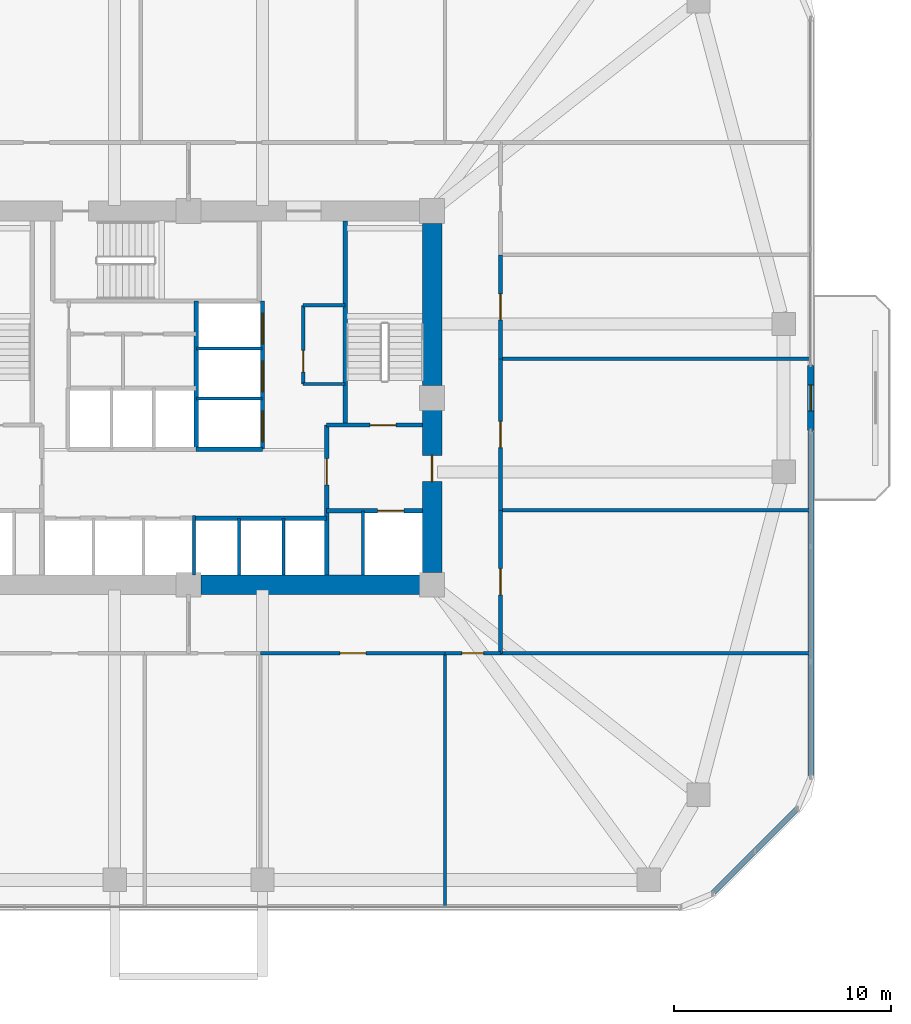
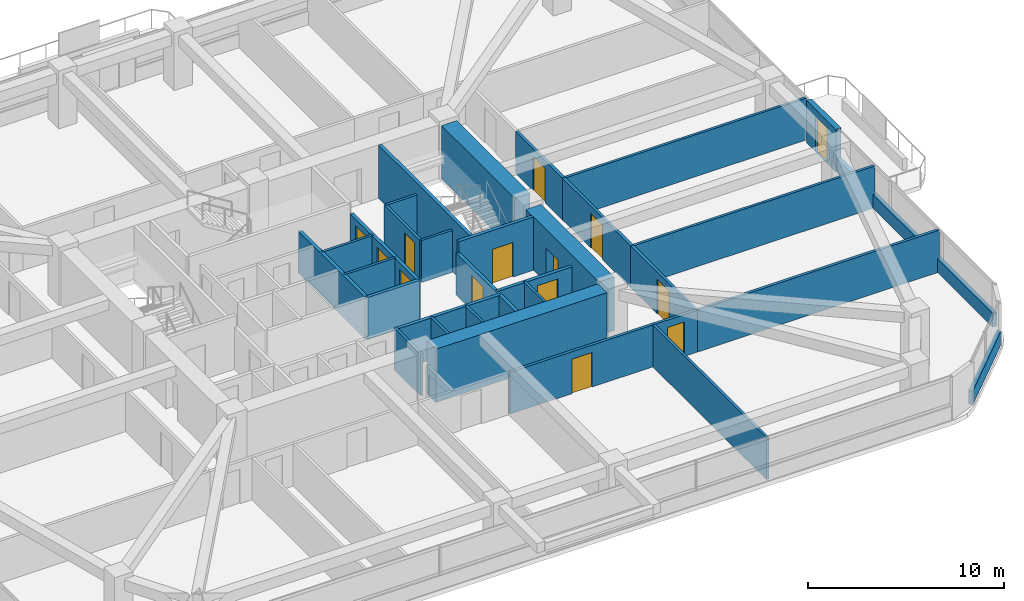
# One storey, part 10 of 14: 32 walls, 14 doors, 14 openings.
"""IFC4 building model written with IfcOpenShell, lengths in metres."""

from ifc_helpers import new_model, si_unit, derived_unit, direction, frame, frame_2d, origin, place, context, subcontext, project, spatial, rectangle, extrude, material, layer, layer_set, type_object, element, fill, save


model = new_model("IFC4")

# Units and contexts
model_context = context("Model", 3, precision=1e-05, world=origin(), true_north=direction((0.0, 1.0)))
body_context = subcontext(model_context, "Body", "Model", "MODEL_VIEW")
ifc_project = project(units=[si_unit("LENGTHUNIT", "METRE"), si_unit("AREAUNIT", "SQUARE_METRE"), si_unit("VOLUMEUNIT", "CUBIC_METRE"), si_unit("PLANEANGLEUNIT", "RADIAN"), si_unit("MASSUNIT", "GRAM", prefix="KILO"), derived_unit("THERMALTRANSMITTANCEUNIT", [(si_unit("POWERUNIT", "WATT"), 1), (si_unit("LENGTHUNIT", "METRE"), -2), (si_unit("THERMODYNAMICTEMPERATUREUNIT", "KELVIN"), -1)])], contexts=[model_context])

# Site, building, storey
site_placement = place(None, origin())
site = spatial("IfcSite", under=ifc_project, at=site_placement, CompositionType="ELEMENT")
building_placement = place(site_placement, origin())
building = spatial("IfcBuilding", under=site, at=building_placement, Name="Koralith Skygarden Medical Center", CompositionType="ELEMENT")
storey_placement = place(building_placement, frame((0.0, 0.0, 31.139892578125)))
storey = spatial("IfcBuildingStorey", under=building, at=storey_placement, Name="L07", CompositionType="ELEMENT", Elevation=31.139892578125)

# Wall, opening, door
ifc_material_1 = material(Name="Gypsum Board Partition")
ifc_layer_1 = layer(ifc_material_1, 0.14990234375)
ifc_layer_set_1 = layer_set([ifc_layer_1], Name="Gypsum Board Partition")
wall_type_1 = type_object("IfcWallType", Name="Clinical Acoustic Partition 150", PredefinedType="PARTITIONING", material=ifc_layer_set_1)
wall_1_placement = place(storey_placement, frame((42.27001953125, 26.5400390625, 0.0), z_axis=(0.0, 0.0, 1.0), x_axis=(0.0, 1.0, 0.0)))
wall_1 = element("IfcWall", 1, at=wall_1_placement, inside=storey, type_object=wall_type_1, Name="L07 Clinical Acoustic Partition 150 W-CORE-L07-ESUB-W", PredefinedType="PARTITIONING", context=body_context, shape_type="SweptSolid", body=[
    extrude(rectangle(XDim=3.619873046875, YDim=0.14990234375, at=frame_2d((1.81005859375, 0.0))), origin(), (0.0, 0.0, 1.0), 2.610107421875),
])
opening_1_placement = place(wall_1_placement, frame((0.550048828125, 0.0, 0.0)))
opening_1 = element("IfcOpeningElement", 2, at=opening_1_placement, cuts=wall_1, Name="Opening D-SUP", PredefinedType="OPENING", context=body_context, shape_type="SweptSolid", body=[
    extrude(rectangle(XDim=1.0, YDim=2.14990234375, at=frame_2d((0.5, 1.074951171875))), frame((0.0, 0.0849609375, 0.0), z_axis=(0.0, -1.0, 0.0), x_axis=(1.0, 0.0, 0.0)), (0.0, 0.0, 1.0), 0.169921875),
])
ifc_material_2 = material(Name="Aluminium 6063-T6", Category="aluminium")
door_type_1 = type_object("IfcDoorType", Name="Clinical Support Door D-SUP 1000", OperationType="NOTDEFINED", PredefinedType="DOOR", material=ifc_material_2)
door_1_placement = place(opening_1_placement, origin())
door_1 = element("IfcDoor", 3, at=door_1_placement, inside=storey, type_object=door_type_1, Name="L07 Core Equipment Store Door", OperationType="SINGLE_SWING_LEFT", OverallHeight=2.14990234375, OverallWidth=1.0, PredefinedType="DOOR", context=body_context, shape_type="SweptSolid", body=[
    extrude(rectangle(XDim=1.0, YDim=2.14990234375, at=frame_2d((0.5, 1.074951171875))), frame((0.0, 0.02490234375, 0.0), z_axis=(0.0, -1.0, 0.0), x_axis=(1.0, 0.0, 0.0)), (0.0, 0.0, 1.0), 0.050048828125),
])
fill(opening_1, door_1)

# Walls
for number, where, z_axis, x_axis, name in (
    (4, (42.27001953125, 26.5400390625, 0.0), (0.0, 0.0, 1.0), (1.0, 0.0, 0.0), "L07 Clinical Acoustic Partition 150 W-CORE-L07-ESUB-S"),
    (5, (42.27001953125, 30.159912109375, 0.0), (0.0, 0.0, 1.0), (1.0, 0.0, 0.0), "L07 Clinical Acoustic Partition 150 W-CORE-L07-ESUB-N"),
):
    element("IfcWall", number, at=place(storey_placement, frame(where, z_axis=z_axis, x_axis=x_axis)), inside=storey, type_object=wall_type_1, Name=name, PredefinedType="PARTITIONING", context=body_context, shape_type="SweptSolid", body=[
        extrude(rectangle(XDim=1.929931640625, YDim=0.14990234375, at=frame_2d((0.96484375, 0.0))), origin(), (0.0, 0.0, 1.0), 2.610107421875),
    ])
wall_2_placement = place(storey_placement, frame((48.800048828125, 14.14990234375, 0.0), z_axis=(0.0, 0.0, 1.0), x_axis=(0.0, -1.0, 0.0)))
element("IfcWall", 6, at=wall_2_placement, inside=storey, type_object=wall_type_1, Name="L07 Clinical Acoustic Partition 150 W-PART-L07-S-05", PredefinedType="PARTITIONING", context=body_context, shape_type="SweptSolid", body=[
    extrude(rectangle(XDim=11.64990234375, YDim=0.14990234375, at=frame_2d((5.824951171875, 0.0))), origin(), (0.0, 0.0, 1.0), 2.610107421875),
])
for number, where, z_axis, x_axis, name in (
    (7, (51.35009765625, 20.72998046875, 0.0), (0.0, 0.0, 1.0), (1.0, 0.0, 0.0), "L07 Clinical Acoustic Partition 150 W-PART-L07-E-01"),
    (8, (51.35009765625, 27.699951171875, 0.0), (0.0, 0.0, 1.0), (1.0, 0.0, 0.0), "L07 Clinical Acoustic Partition 150 W-PART-L07-E-02"),
):
    element("IfcWall", number, at=place(storey_placement, frame(where, z_axis=z_axis, x_axis=x_axis)), inside=storey, type_object=wall_type_1, Name=name, PredefinedType="PARTITIONING", context=body_context, shape_type="SweptSolid", body=[
        extrude(rectangle(XDim=14.25, YDim=0.14990234375, at=frame_2d((7.125, 0.0))), origin(), (0.0, 0.0, 1.0), 2.610107421875),
    ])
ifc_layer_2 = layer(ifc_material_1, 0.1650390625)
ifc_layer_set_2 = layer_set([ifc_layer_2], Name="Gypsum Board Partition")
wall_type_2 = type_object("IfcWallType", Name="Clinical Corridor Partition 165", PredefinedType="PARTITIONING", material=ifc_layer_set_2)
wall_3_placement = place(storey_placement, frame((51.35009765625, 14.14990234375, 0.0), z_axis=(0.0, 0.0, 1.0), x_axis=(1.0, 0.0, 0.0)))
element("IfcWall", 9, at=wall_3_placement, inside=storey, type_object=wall_type_2, Name="L07 Clinical Corridor Partition 165 W-WB-L07-SE", PredefinedType="PARTITIONING", context=body_context, shape_type="SweptSolid", body=[
    extrude(rectangle(XDim=14.25, YDim=0.1650390625, at=frame_2d((7.125, 0.0))), origin(), (0.0, 0.0, 1.0), 2.610107421875),
])

# Wall, opening, door
wall_4_placement = place(storey_placement, frame((40.31005859375, 14.14990234375, 0.0), z_axis=(0.0, 0.0, 1.0), x_axis=(1.0, 0.0, 0.0)))
wall_4 = element("IfcWall", 10, at=wall_4_placement, inside=storey, type_object=wall_type_2, Name="L07 Clinical Corridor Partition 165 W-CORR-L07-S-05", PredefinedType="PARTITIONING", context=body_context, shape_type="SweptSolid", body=[
    extrude(rectangle(XDim=8.489990234375, YDim=0.1650390625, at=frame_2d((4.2451171875, 0.0))), origin(), (0.0, 0.0, 1.0), 2.610107421875),
])
opening_2_placement = place(wall_4_placement, frame((3.64501953125, 0.0, 0.0)))
opening_2 = element("IfcOpeningElement", 11, at=opening_2_placement, cuts=wall_4, Name="Opening D-CLN", PredefinedType="OPENING", context=body_context, shape_type="SweptSolid", body=[
    extrude(rectangle(XDim=1.199951171875, YDim=2.14990234375, at=frame_2d((0.60009765625, 1.074951171875))), frame((0.0, 0.092529296875, 0.0), z_axis=(0.0, -1.0, 0.0), x_axis=(1.0, 0.0, 0.0)), (0.0, 0.0, 1.0), 0.18505859375),
])
door_type_2 = type_object("IfcDoorType", Name="Clinical Corridor Door D-CLN 1200", OperationType="NOTDEFINED", PredefinedType="DOOR", material=ifc_material_2)
door_2_placement = place(opening_2_placement, frame((1.199951171875, 0.0, 0.0), z_axis=(0.0, 0.0, 1.0), x_axis=(-1.0, 0.0, 0.0)))
door_2 = element("IfcDoor", 12, at=door_2_placement, inside=storey, type_object=door_type_2, Name="L07 Decentralized Nurse Charting Station 10 Door", OperationType="SINGLE_SWING_LEFT", OverallHeight=2.14990234375, OverallWidth=1.199951171875, PredefinedType="DOOR", context=body_context, shape_type="SweptSolid", body=[
    extrude(rectangle(XDim=1.199951171875, YDim=2.14990234375, at=frame_2d((0.60009765625, 1.074951171875))), frame((0.0, 0.02490234375, 0.0), z_axis=(0.0, -1.0, 0.0), x_axis=(1.0, 0.0, 0.0)), (0.0, 0.0, 1.0), 0.050048828125),
])
fill(opening_2, door_2)

wall_5_placement = place(storey_placement, frame((48.800048828125, 14.14990234375, 0.0), z_axis=(0.0, 0.0, 1.0), x_axis=(1.0, 0.0, 0.0)))
wall_5 = element("IfcWall", 13, at=wall_5_placement, inside=storey, type_object=wall_type_2, Name="L07 Clinical Corridor Partition 165 W-CORR-L07-S-06", PredefinedType="PARTITIONING", context=body_context, shape_type="SweptSolid", body=[
    extrude(rectangle(XDim=2.550048828125, YDim=0.1650390625, at=frame_2d((1.27490234375, 0.0))), origin(), (0.0, 0.0, 1.0), 2.610107421875),
])
opening_3_placement = place(wall_5_placement, frame((0.77490234375, 0.0, 0.0)))
opening_3 = element("IfcOpeningElement", 14, at=opening_3_placement, cuts=wall_5, Name="Opening D-SUP", PredefinedType="OPENING", context=body_context, shape_type="SweptSolid", body=[
    extrude(rectangle(XDim=1.0, YDim=2.14990234375, at=frame_2d((0.5, 1.074951171875))), frame((0.0, 0.092529296875, 0.0), z_axis=(0.0, -1.0, 0.0), x_axis=(1.0, 0.0, 0.0)), (0.0, 0.0, 1.0), 0.18505859375),
])
door_3_placement = place(opening_3_placement, frame((1.0, 0.0, 0.0), z_axis=(0.0, 0.0, 1.0), x_axis=(-1.0, 0.0, 0.0)))
door_3 = element("IfcDoor", 15, at=door_3_placement, inside=storey, type_object=door_type_1, Name="L07 Multidisciplinary Clinical Conference Room 11 Door", OperationType="SINGLE_SWING_RIGHT", OverallHeight=2.14990234375, OverallWidth=1.0, PredefinedType="DOOR", context=body_context, shape_type="SweptSolid", body=[
    extrude(rectangle(XDim=1.0, YDim=2.14990234375, at=frame_2d((0.5, 1.074951171875))), frame((0.0, 0.02490234375, 0.0), z_axis=(0.0, -1.0, 0.0), x_axis=(1.0, 0.0, 0.0)), (0.0, 0.0, 1.0), 0.050048828125),
])
fill(opening_3, door_3)

wall_6_placement = place(storey_placement, frame((51.35009765625, 14.14990234375, 0.0), z_axis=(0.0, 0.0, 1.0), x_axis=(0.0, 1.0, 0.0)))
wall_6 = element("IfcWall", 16, at=wall_6_placement, inside=storey, type_object=wall_type_2, Name="L07 Clinical Corridor Partition 165 W-CORR-L07-E-01", PredefinedType="PARTITIONING", context=body_context, shape_type="SweptSolid", body=[
    extrude(rectangle(XDim=6.580078125, YDim=0.1650390625, at=frame_2d((3.2900390625, 0.0))), origin(), (0.0, 0.0, 1.0), 2.610107421875),
])
opening_4_placement = place(wall_6_placement, frame((2.68994140625, 0.0, 0.0)))
opening_4 = element("IfcOpeningElement", 17, at=opening_4_placement, cuts=wall_6, Name="Opening D-CLN", PredefinedType="OPENING", context=body_context, shape_type="SweptSolid", body=[
    extrude(rectangle(XDim=1.199951171875, YDim=2.14990234375, at=frame_2d((0.60009765625, 1.074951171875))), frame((0.0, 0.092529296875, 0.0), z_axis=(0.0, -1.0, 0.0), x_axis=(1.0, 0.0, 0.0)), (0.0, 0.0, 1.0), 0.18505859375),
])
door_4_placement = place(opening_4_placement, origin())
door_4 = element("IfcDoor", 18, at=door_4_placement, inside=storey, type_object=door_type_2, Name="L07 Clinical Examination Room 15 Door", OperationType="SINGLE_SWING_RIGHT", OverallHeight=2.14990234375, OverallWidth=1.199951171875, PredefinedType="DOOR", context=body_context, shape_type="SweptSolid", body=[
    extrude(rectangle(XDim=1.199951171875, YDim=2.14990234375, at=frame_2d((0.60009765625, 1.074951171875))), frame((0.0, 0.02490234375, 0.0), z_axis=(0.0, -1.0, 0.0), x_axis=(1.0, 0.0, 0.0)), (0.0, 0.0, 1.0), 0.050048828125),
])
fill(opening_4, door_4)

wall_7_placement = place(storey_placement, frame((51.35009765625, 20.72998046875, 0.0), z_axis=(0.0, 0.0, 1.0), x_axis=(0.0, 1.0, 0.0)))
wall_7 = element("IfcWall", 19, at=wall_7_placement, inside=storey, type_object=wall_type_2, Name="L07 Clinical Corridor Partition 165 W-CORR-L07-E-02", PredefinedType="PARTITIONING", context=body_context, shape_type="SweptSolid", body=[
    extrude(rectangle(XDim=6.969970703125, YDim=0.1650390625, at=frame_2d((3.48486328125, 0.0))), origin(), (0.0, 0.0, 1.0), 2.610107421875),
])
opening_5_placement = place(wall_7_placement, frame((2.885009765625, 0.0, 0.0)))
opening_5 = element("IfcOpeningElement", 20, at=opening_5_placement, cuts=wall_7, Name="Opening D-CLN", PredefinedType="OPENING", context=body_context, shape_type="SweptSolid", body=[
    extrude(rectangle(XDim=1.199951171875, YDim=2.14990234375, at=frame_2d((0.60009765625, 1.074951171875))), frame((0.0, 0.092529296875, 0.0), z_axis=(0.0, -1.0, 0.0), x_axis=(1.0, 0.0, 0.0)), (0.0, 0.0, 1.0), 0.18505859375),
])
door_5_placement = place(opening_5_placement, origin())
door_5 = element("IfcDoor", 21, at=door_5_placement, inside=storey, type_object=door_type_2, Name="L07 Patient and Family Sky-Garden Day Lounge 16 Door", OperationType="SINGLE_SWING_LEFT", OverallHeight=2.14990234375, OverallWidth=1.199951171875, PredefinedType="DOOR", context=body_context, shape_type="SweptSolid", body=[
    extrude(rectangle(XDim=1.199951171875, YDim=2.14990234375, at=frame_2d((0.60009765625, 1.074951171875))), frame((0.0, 0.02490234375, 0.0), z_axis=(0.0, -1.0, 0.0), x_axis=(1.0, 0.0, 0.0)), (0.0, 0.0, 1.0), 0.050048828125),
])
fill(opening_5, door_5)

wall_8_placement = place(storey_placement, frame((51.35009765625, 27.699951171875, 0.0), z_axis=(0.0, 0.0, 1.0), x_axis=(0.0, 1.0, 0.0)))
wall_8 = element("IfcWall", 22, at=wall_8_placement, inside=storey, type_object=wall_type_2, Name="L07 Clinical Corridor Partition 165 W-CORR-L07-E-03", PredefinedType="PARTITIONING", context=body_context, shape_type="SweptSolid", body=[
    extrude(rectangle(XDim=4.780029296875, YDim=0.1650390625, at=frame_2d((2.39013671875, 0.0))), origin(), (0.0, 0.0, 1.0), 2.610107421875),
])
opening_6_placement = place(wall_8_placement, frame((1.7900390625, 0.0, 0.0)))
opening_6 = element("IfcOpeningElement", 23, at=opening_6_placement, cuts=wall_8, Name="Opening D-CLN", PredefinedType="OPENING", context=body_context, shape_type="SweptSolid", body=[
    extrude(rectangle(XDim=1.199951171875, YDim=2.14990234375, at=frame_2d((0.60009765625, 1.074951171875))), frame((0.0, 0.092529296875, 0.0), z_axis=(0.0, -1.0, 0.0), x_axis=(1.0, 0.0, 0.0)), (0.0, 0.0, 1.0), 0.18505859375),
])
door_6_placement = place(opening_6_placement, origin())
door_6 = element("IfcDoor", 24, at=door_6_placement, inside=storey, type_object=door_type_2, Name="L07 Attending Physician Consultation Office 17 Door", OperationType="SINGLE_SWING_RIGHT", OverallHeight=2.14990234375, OverallWidth=1.199951171875, PredefinedType="DOOR", context=body_context, shape_type="SweptSolid", body=[
    extrude(rectangle(XDim=1.199951171875, YDim=2.14990234375, at=frame_2d((0.60009765625, 1.074951171875))), frame((0.0, 0.02490234375, 0.0), z_axis=(0.0, -1.0, 0.0), x_axis=(1.0, 0.0, 0.0)), (0.0, 0.0, 1.0), 0.050048828125),
])
fill(opening_6, door_6)

ifc_layer_3 = layer(ifc_material_1, 0.199951171875)
ifc_layer_set_3 = layer_set([ifc_layer_3], Name="Gypsum Board Partition")
wall_type_3 = type_object("IfcWallType", Name="Fire Shaft Wall 200", PredefinedType="SOLIDWALL", material=ifc_layer_set_3)
wall_9_placement = place(storey_placement, frame((43.35009765625, 20.699951171875, 0.0), z_axis=(0.0, 0.0, 1.0), x_axis=(1.0, 0.0, 0.0)))
wall_9 = element("IfcWall", 25, at=wall_9_placement, inside=storey, type_object=wall_type_3, Name="L07 Fire Shaft Wall 200 W-CORE-L07-FF2-N", PredefinedType="SOLIDWALL", context=body_context, shape_type="SweptSolid", body=[
    extrude(rectangle(XDim=4.39990234375, YDim=0.199951171875, at=frame_2d((2.199951171875, 0.0))), origin(), (0.0, 0.0, 1.0), 2.610107421875),
])
opening_7_placement = place(wall_9_placement, frame((2.35009765625, 0.0, 0.0)))
opening_7 = element("IfcOpeningElement", 26, at=opening_7_placement, cuts=wall_9, Name="Opening LD-FF", PredefinedType="OPENING", context=body_context, shape_type="SweptSolid", body=[
    extrude(rectangle(XDim=1.199951171875, YDim=2.14990234375, at=frame_2d((0.60009765625, 1.074951171875))), frame((0.0, 0.10986328125, 0.0), z_axis=(0.0, -1.0, 0.0), x_axis=(1.0, 0.0, 0.0)), (0.0, 0.0, 1.0), 0.219970703125),
])
ifc_material_3 = material(Name="Steel ASTM A500 Grade C", Category="steel")
door_type_3 = type_object("IfcDoorType", Name="Fire Lift Sliding Landing Door LD-FF 1200", OperationType="NOTDEFINED", PredefinedType="DOOR", material=ifc_material_3)
door_7_placement = place(opening_7_placement, origin())
door_7 = element("IfcDoor", 27, at=door_7_placement, inside=storey, type_object=door_type_3, Name="L07 Fire Service Elevator FF2 Landing Door", OperationType="SLIDING_TO_RIGHT", OverallHeight=2.14990234375, OverallWidth=1.199951171875, PredefinedType="DOOR", context=body_context, shape_type="SweptSolid", body=[
    extrude(rectangle(XDim=1.199951171875, YDim=2.14990234375, at=frame_2d((0.60009765625, 1.074951171875))), frame((0.0, 0.02490234375, 0.0), z_axis=(0.0, -1.0, 0.0), x_axis=(1.0, 0.0, 0.0)), (0.0, 0.0, 1.0), 0.050048828125),
])
fill(opening_7, door_7)

wall_10_placement = place(storey_placement, frame((43.35009765625, 17.75, 0.0), z_axis=(0.0, 0.0, 1.0), x_axis=(0.0, 1.0, 0.0)))
wall_10 = element("IfcWall", 28, at=wall_10_placement, inside=storey, type_object=wall_type_3, Name="L07 Fire Shaft Wall 200 W-CORE-L07-FSAEE-W", PredefinedType="SOLIDWALL", context=body_context, shape_type="SweptSolid", body=[
    extrude(rectangle(XDim=6.89990234375, YDim=0.199951171875, at=frame_2d((3.449951171875, 0.0))), origin(), (0.0, 0.0, 1.0), 2.610107421875),
])
opening_8_placement = place(wall_10_placement, frame((4.14990234375, 0.0, 0.0)))
opening_8 = element("IfcOpeningElement", 29, at=opening_8_placement, cuts=wall_10, Name="Opening D-ST60", PredefinedType="OPENING", context=body_context, shape_type="SweptSolid", body=[
    extrude(rectangle(XDim=1.199951171875, YDim=2.14990234375, at=frame_2d((0.60009765625, 1.074951171875))), frame((0.0, 0.10986328125, 0.0), z_axis=(0.0, -1.0, 0.0), x_axis=(1.0, 0.0, 0.0)), (0.0, 0.0, 1.0), 0.219970703125),
])
door_type_4 = type_object("IfcDoorType", Name="Smokeproof Stair Fire Door FD60S 1200", OperationType="NOTDEFINED", PredefinedType="DOOR", material=ifc_material_3)
door_8_placement = place(opening_8_placement, frame((1.199951171875, 0.0, 0.0), z_axis=(0.0, 0.0, 1.0), x_axis=(-1.0, 0.0, 0.0)))
door_8 = element("IfcDoor", 30, at=door_8_placement, inside=storey, type_object=door_type_4, Name="L07 East Firefighting Lobby Inner Fire Door", OperationType="SINGLE_SWING_RIGHT", OverallHeight=2.14990234375, OverallWidth=1.199951171875, PredefinedType="DOOR", context=body_context, shape_type="SweptSolid", body=[
    extrude(rectangle(XDim=1.199951171875, YDim=2.14990234375, at=frame_2d((0.60009765625, 1.074951171875))), frame((0.0, 0.02490234375, 0.0), z_axis=(0.0, -1.0, 0.0), x_axis=(1.0, 0.0, 0.0)), (0.0, 0.0, 1.0), 0.050048828125),
])
fill(opening_8, door_8)

# Walls
wall_11_placement = place(storey_placement, frame((37.25, 20.360107421875, 0.0), z_axis=(0.0, 0.0, 1.0), x_axis=(1.0, 0.0, 0.0)))
element("IfcWall", 31, at=wall_11_placement, inside=storey, type_object=wall_type_3, Name="L07 Fire Shaft Wall 200 W-CORE-L07-PM-N", PredefinedType="SOLIDWALL", context=body_context, shape_type="SweptSolid", body=[
    extrude(rectangle(XDim=6.10009765625, YDim=0.199951171875, at=frame_2d((3.050048828125, 0.0))), origin(), (0.0, 0.0, 1.0), 2.610107421875),
])
wall_12_placement = place(storey_placement, frame((37.35009765625, 23.5400390625, 0.0), z_axis=(0.0, 0.0, 1.0), x_axis=(0.0, 1.0, 0.0)))
element("IfcWall", 32, at=wall_12_placement, inside=storey, type_object=wall_type_3, Name="L07 Fire Shaft Wall 200 W-CORE-L07-SV-W", PredefinedType="SOLIDWALL", context=body_context, shape_type="SweptSolid", body=[
    extrude(rectangle(XDim=6.820068359375, YDim=0.199951171875, at=frame_2d((3.41015625, 0.0))), origin(), (0.0, 0.0, 1.0), 2.610107421875),
])
wall_13_placement = place(storey_placement, frame((37.35009765625, 23.5400390625, 0.0), z_axis=(0.0, 0.0, 1.0), x_axis=(1.0, 0.0, 0.0)))
element("IfcWall", 33, at=wall_13_placement, inside=storey, type_object=wall_type_3, Name="L07 Fire Shaft Wall 200 W-CORE-L07-SV-S", PredefinedType="SOLIDWALL", context=body_context, shape_type="SweptSolid", body=[
    extrude(rectangle(XDim=3.0498046875, YDim=0.199951171875, at=frame_2d((1.52490234375, 0.0))), origin(), (0.0, 0.0, 1.0), 2.610107421875),
])

# Wall, openings, doors
wall_14_placement = place(storey_placement, frame((40.39990234375, 23.5400390625, 0.0), z_axis=(0.0, 0.0, 1.0), x_axis=(0.0, 1.0, 0.0)))
wall_14 = element("IfcWall", 34, at=wall_14_placement, inside=storey, type_object=wall_type_3, Name="L07 Fire Shaft Wall 200 W-CORE-L07-SV-E", PredefinedType="SOLIDWALL", context=body_context, shape_type="SweptSolid", body=[
    extrude(rectangle(XDim=6.820068359375, YDim=0.199951171875, at=frame_2d((3.41015625, 0.0))), origin(), (0.0, 0.0, 1.0), 2.610107421875),
])
opening_9_placement = place(wall_14_placement, frame((0.35009765625, 0.0, 0.0)))
opening_9 = element("IfcOpeningElement", 35, at=opening_9_placement, cuts=wall_14, Name="Opening LD-SV", PredefinedType="OPENING", context=body_context, shape_type="SweptSolid", body=[
    extrude(rectangle(XDim=1.39990234375, YDim=2.199951171875, at=frame_2d((0.699951171875, 1.10009765625))), frame((0.0, 0.10986328125, 0.0), z_axis=(0.0, -1.0, 0.0), x_axis=(1.0, 0.0, 0.0)), (0.0, 0.0, 1.0), 0.219970703125),
])
opening_10_placement = place(wall_14_placement, frame((2.64990234375, 0.0, 0.0)))
opening_10 = element("IfcOpeningElement", 36, at=opening_10_placement, cuts=wall_14, Name="Opening LD-SV", PredefinedType="OPENING", context=body_context, shape_type="SweptSolid", body=[
    extrude(rectangle(XDim=1.39990234375, YDim=2.199951171875, at=frame_2d((0.699951171875, 1.10009765625))), frame((0.0, 0.10986328125, 0.0), z_axis=(0.0, -1.0, 0.0), x_axis=(1.0, 0.0, 0.0)), (0.0, 0.0, 1.0), 0.219970703125),
])
opening_11_placement = place(wall_14_placement, frame((4.85009765625, 0.0, 0.0)))
opening_11 = element("IfcOpeningElement", 37, at=opening_11_placement, cuts=wall_14, Name="Opening LD-SV", PredefinedType="OPENING", context=body_context, shape_type="SweptSolid", body=[
    extrude(rectangle(XDim=1.39990234375, YDim=2.199951171875, at=frame_2d((0.699951171875, 1.10009765625))), frame((0.0, 0.10986328125, 0.0), z_axis=(0.0, -1.0, 0.0), x_axis=(1.0, 0.0, 0.0)), (0.0, 0.0, 1.0), 0.219970703125),
])
door_type_5 = type_object("IfcDoorType", Name="Bed Lift Sliding Landing Door LD-SV 1400", OperationType="NOTDEFINED", PredefinedType="DOOR", material=ifc_material_3)
door_9_placement = place(opening_9_placement, origin())
door_9 = element("IfcDoor", 38, at=door_9_placement, inside=storey, type_object=door_type_5, Name="L07 Bed Elevator BD1 Landing Door", OperationType="SLIDING_TO_LEFT", OverallHeight=2.199951171875, OverallWidth=1.39990234375, PredefinedType="DOOR", context=body_context, shape_type="SweptSolid", body=[
    extrude(rectangle(XDim=1.39990234375, YDim=2.199951171875, at=frame_2d((0.699951171875, 1.10009765625))), frame((0.0, 0.02490234375, 0.0), z_axis=(0.0, -1.0, 0.0), x_axis=(1.0, 0.0, 0.0)), (0.0, 0.0, 1.0), 0.050048828125),
])
fill(opening_9, door_9)
door_10_placement = place(opening_10_placement, origin())
door_10 = element("IfcDoor", 39, at=door_10_placement, inside=storey, type_object=door_type_5, Name="L07 Service Elevator BD2 Landing Door", OperationType="SLIDING_TO_LEFT", OverallHeight=2.199951171875, OverallWidth=1.39990234375, PredefinedType="DOOR", context=body_context, shape_type="SweptSolid", body=[
    extrude(rectangle(XDim=1.39990234375, YDim=2.199951171875, at=frame_2d((0.699951171875, 1.10009765625))), frame((0.0, 0.02490234375, 0.0), z_axis=(0.0, -1.0, 0.0), x_axis=(1.0, 0.0, 0.0)), (0.0, 0.0, 1.0), 0.050048828125),
])
fill(opening_10, door_10)
door_11_placement = place(opening_11_placement, origin())
door_11 = element("IfcDoor", 40, at=door_11_placement, inside=storey, type_object=door_type_5, Name="L07 Trauma Elevator TR1 Landing Door", OperationType="SLIDING_TO_RIGHT", OverallHeight=2.199951171875, OverallWidth=1.39990234375, PredefinedType="DOOR", context=body_context, shape_type="SweptSolid", body=[
    extrude(rectangle(XDim=1.39990234375, YDim=2.199951171875, at=frame_2d((0.699951171875, 1.10009765625))), frame((0.0, 0.02490234375, 0.0), z_axis=(0.0, -1.0, 0.0), x_axis=(1.0, 0.0, 0.0)), (0.0, 0.0, 1.0), 0.050048828125),
])
fill(opening_11, door_11)

# Walls
ifc_material_4 = material(Name="Warm Oolitic Limestone Cladding", Category="masonry")
ifc_layer_4 = layer(ifc_material_4, 0.239990234375)
ifc_layer_set_4 = layer_set([ifc_layer_4], Name="Warm Oolitic Limestone Cladding")
wall_type_4 = type_object("IfcWallType", Name="Limestone Spandrel Sill Backup Wall 240", PredefinedType="SOLIDWALL", material=ifc_layer_set_4)
wall_15_placement = place(storey_placement, frame((61.095947265625, 3.0810546875, 0.0), z_axis=(0.0, 0.0, 1.0), x_axis=(0.707128783731, 0.707084777957, 0.0)))
element("IfcWall", 41, at=wall_15_placement, inside=storey, type_object=wall_type_4, Name="L07 Sill Spandrel SE", PredefinedType="SOLIDWALL", context=body_context, shape_type="SweptSolid", body=[
    extrude(rectangle(XDim=5.5478515625, YDim=0.239990234375, at=frame_2d((2.77392578125, 0.0))), origin(), (0.0, 0.0, 1.0), 0.85009765625),
])
wall_16_placement = place(storey_placement, frame((65.6201171875, 8.455078125, 0.0), z_axis=(0.0, 0.0, 1.0), x_axis=(0.0, 1.0, 0.0)))
element("IfcWall", 42, at=wall_16_placement, inside=storey, type_object=wall_type_4, Name="L07 Sill Spandrel E-L", PredefinedType="SOLIDWALL", context=body_context, shape_type="SweptSolid", body=[
    extrude(rectangle(XDim=15.905029296875, YDim=0.239990234375, at=frame_2d((7.95263671875, 0.0))), origin(), (0.0, 0.0, 1.0), 0.85009765625),
])
ifc_material_5 = material(Name="Concrete C70/85", Category="concrete")
ifc_layer_5 = layer(ifc_material_5, 0.89990234375)
ifc_layer_set_5 = layer_set([ifc_layer_5], Name="Concrete C70/85")
wall_type_5 = type_object("IfcWallType", Name="Lower Core Shear Wall 900", PredefinedType="SHEAR", material=ifc_layer_set_5)
wall_17_placement = place(storey_placement, frame((37.56494140625, 17.300048828125, 0.0), z_axis=(0.0, 0.0, 1.0), x_axis=(1.0, 0.0, 0.0)))
element("IfcWall", 43, at=wall_17_placement, inside=storey, type_object=wall_type_5, Name="L07 Core Shear Wall Segment 2", PredefinedType="SHEAR", context=body_context, shape_type="SweptSolid", body=[
    extrude(rectangle(XDim=10.070068359375, YDim=0.89990234375, at=frame_2d((5.03515625, 0.0))), origin(), (0.0, 0.0, 1.0), 3.320068359375),
])

# Wall, opening, door
wall_18_placement = place(storey_placement, frame((48.199951171875, 17.864990234375, 0.0), z_axis=(0.0, 0.0, 1.0), x_axis=(0.0, 1.0, 0.0)))
wall_18 = element("IfcWall", 44, at=wall_18_placement, inside=storey, type_object=wall_type_5, Name="L07 Core Shear Wall Segment 3", PredefinedType="SHEAR", context=body_context, shape_type="SweptSolid", body=[
    extrude(rectangle(XDim=7.469970703125, YDim=0.89990234375, at=frame_2d((3.73486328125, 0.0))), origin(), (0.0, 0.0, 1.0), 3.320068359375),
])
opening_12_placement = place(wall_18_placement, frame((4.18505859375, 0.0, 0.0)))
opening_12 = element("IfcOpeningElement", 45, at=opening_12_placement, cuts=wall_18, Name="Opening D-ST60", PredefinedType="OPENING", context=body_context, shape_type="SweptSolid", body=[
    extrude(rectangle(XDim=1.199951171875, YDim=2.14990234375, at=frame_2d((0.60009765625, 1.074951171875))), frame((0.0, 0.4599609375, 0.0), z_axis=(0.0, -1.0, 0.0), x_axis=(1.0, 0.0, 0.0)), (0.0, 0.0, 1.0), 0.919921875),
])
door_12_placement = place(opening_12_placement, frame((1.199951171875, 0.0, 0.0), z_axis=(0.0, 0.0, 1.0), x_axis=(-1.0, 0.0, 0.0)))
door_12 = element("IfcDoor", 46, at=door_12_placement, inside=storey, type_object=door_type_4, Name="L07 East Corridor to Firefighting Lobby Door", OperationType="SINGLE_SWING_RIGHT", OverallHeight=2.14990234375, OverallWidth=1.199951171875, PredefinedType="DOOR", context=body_context, shape_type="SweptSolid", body=[
    extrude(rectangle(XDim=1.199951171875, YDim=2.14990234375, at=frame_2d((0.60009765625, 1.074951171875))), frame((0.0, 0.02490234375, 0.0), z_axis=(0.0, -1.0, 0.0), x_axis=(1.0, 0.0, 0.0)), (0.0, 0.0, 1.0), 0.050048828125),
])
fill(opening_12, door_12)

# Wall
wall_19_placement = place(storey_placement, frame((48.199951171875, 26.465087890625, 0.0), z_axis=(0.0, 0.0, 1.0), x_axis=(0.0, 1.0, 0.0)))
element("IfcWall", 47, at=wall_19_placement, inside=storey, type_object=wall_type_5, Name="L07 Core Shear Wall Segment 4", PredefinedType="SHEAR", context=body_context, shape_type="SweptSolid", body=[
    extrude(rectangle(XDim=7.469970703125, YDim=0.89990234375, at=frame_2d((3.73486328125, 0.0))), origin(), (0.0, 0.0, 1.0), 3.320068359375),
])

# Wall, opening, door
ifc_layer_6 = layer(ifc_material_4, 0.300048828125)
ifc_layer_set_6 = layer_set([ifc_layer_6], Name="Warm Oolitic Limestone Cladding")
wall_type_6 = type_object("IfcWallType", Name="Oolitic Limestone Insulated Facade Wall 300", PredefinedType="SOLIDWALL", material=ifc_layer_set_6)
wall_20_placement = place(storey_placement, frame((65.6201171875, 24.39990234375, 0.0), z_axis=(0.0, 0.0, 1.0), x_axis=(0.0, 1.0, 0.0)))
wall_20 = element("IfcWall", 48, at=wall_20_placement, inside=storey, type_object=wall_type_6, Name="L07 Terrace Portal Wall E", PredefinedType="SOLIDWALL", context=body_context, shape_type="SweptSolid", body=[
    extrude(rectangle(XDim=3.0, YDim=0.300048828125, at=frame_2d((1.5, 0.0))), origin(), (0.0, 0.0, 1.0), 2.650146484375),
])
opening_13_placement = place(wall_20_placement, frame((0.89990234375, 0.0, 0.0)))
opening_13 = element("IfcOpeningElement", 49, at=opening_13_placement, cuts=wall_20, Name="Opening D-BAL", PredefinedType="OPENING", context=body_context, shape_type="SweptSolid", body=[
    extrude(rectangle(XDim=1.199951171875, YDim=2.199951171875, at=frame_2d((0.60009765625, 1.10009765625))), frame((0.0, 0.159912109375, 0.0), z_axis=(0.0, -1.0, 0.0), x_axis=(1.0, 0.0, 0.0)), (0.0, 0.0, 1.0), 0.320068359375),
])
door_type_6 = type_object("IfcDoorType", Name="Planted Balcony Glazed Terrace Door D-BAL 1200", OperationType="NOTDEFINED", PredefinedType="DOOR", material=ifc_material_2)
door_13_placement = place(opening_13_placement, origin())
door_13 = element("IfcDoor", 50, at=door_13_placement, inside=storey, type_object=door_type_6, Name="L07 E Outdoor Terrace Access Door", OperationType="SINGLE_SWING_RIGHT", OverallHeight=2.199951171875, OverallWidth=1.199951171875, PredefinedType="DOOR", context=body_context, shape_type="SweptSolid", body=[
    extrude(rectangle(XDim=1.199951171875, YDim=2.199951171875, at=frame_2d((0.60009765625, 1.10009765625))), frame((0.0, 0.02490234375, 0.0), z_axis=(0.0, -1.0, 0.0), x_axis=(1.0, 0.0, 0.0)), (0.0, 0.0, 1.0), 0.050048828125),
])
fill(opening_13, door_13)

# Walls
ifc_layer_7 = layer(ifc_material_1, 0.14990234375)
ifc_layer_set_7 = layer_set([ifc_layer_7], Name="Gypsum Board Partition")
wall_type_7 = type_object("IfcWallType", Name="Shaft Partition Wall 150", PredefinedType="PARTITIONING", material=ifc_layer_set_7)
wall_21_placement = place(storey_placement, frame((45.02001953125, 17.75, 0.0), z_axis=(0.0, 0.0, 1.0), x_axis=(0.0, 1.0, 0.0)))
element("IfcWall", 51, at=wall_21_placement, inside=storey, type_object=wall_type_7, Name="L07 Shaft Partition Wall 150 W-CORE-L07-RSRE-DIV", PredefinedType="PARTITIONING", context=body_context, shape_type="SweptSolid", body=[
    extrude(rectangle(XDim=2.949951171875, YDim=0.14990234375, at=frame_2d((1.47509765625, 0.0))), origin(), (0.0, 0.0, 1.0), 2.610107421875),
])
for number, where, z_axis, x_axis, name in (
    (52, (39.320068359375, 17.75, 0.0), (0.0, 0.0, 1.0), (0.0, 1.0, 0.0), "L07 Shaft Partition Wall 150 W-CORE-L07-PM-D1"),
    (53, (41.3701171875, 17.75, 0.0), (0.0, 0.0, 1.0), (0.0, 1.0, 0.0), "L07 Shaft Partition Wall 150 W-CORE-L07-PM-D2"),
):
    element("IfcWall", number, at=place(storey_placement, frame(where, z_axis=z_axis, x_axis=x_axis)), inside=storey, type_object=wall_type_7, Name=name, PredefinedType="PARTITIONING", context=body_context, shape_type="SweptSolid", body=[
        extrude(rectangle(XDim=2.610107421875, YDim=0.14990234375, at=frame_2d((1.30517578125, 0.0))), origin(), (0.0, 0.0, 1.0), 2.610107421875),
    ])
wall_22_placement = place(storey_placement, frame((37.25, 17.75, 0.0), z_axis=(0.0, 0.0, 1.0), x_axis=(0.0, 1.0, 0.0)))
element("IfcWall", 54, at=wall_22_placement, inside=storey, type_object=wall_type_7, Name="L07 Shaft Partition Wall 150 W-CORE-L07-PL-PM-SEP", PredefinedType="PARTITIONING", context=body_context, shape_type="SweptSolid", body=[
    extrude(rectangle(XDim=2.72998046875, YDim=0.14990234375, at=frame_2d((1.364990234375, 0.0))), origin(), (0.0, 0.0, 1.0), 2.610107421875),
])
for number, where, z_axis, x_axis, name in (
    (55, (37.3701171875, 25.8701171875, 0.0), (0.0, 0.0, 1.0), (1.0, 0.0, 0.0), "L07 Shaft Partition Wall 150 W-CORE-L07-SV-D1"),
    (56, (37.3701171875, 28.169921875, 0.0), (0.0, 0.0, 1.0), (1.0, 0.0, 0.0), "L07 Shaft Partition Wall 150 W-CORE-L07-SV-D2"),
):
    element("IfcWall", number, at=place(storey_placement, frame(where, z_axis=z_axis, x_axis=x_axis)), inside=storey, type_object=wall_type_7, Name=name, PredefinedType="PARTITIONING", context=body_context, shape_type="SweptSolid", body=[
        extrude(rectangle(XDim=3.009765625, YDim=0.14990234375, at=frame_2d((1.5048828125, 0.0))), origin(), (0.0, 0.0, 1.0), 2.610107421875),
    ])
ifc_material_6 = material(Name="Concrete C45/55", Category="concrete")
ifc_layer_8 = layer(ifc_material_6, 0.199951171875)
ifc_layer_set_8 = layer_set([ifc_layer_8], Name="Concrete C45/55")
wall_type_8 = type_object("IfcWallType", Name="Structural Stair Shaft Wall 200", PredefinedType="SHEAR", material=ifc_layer_set_8)
wall_23_placement = place(storey_placement, frame((44.199951171875, 24.64990234375, 0.0), z_axis=(0.0, 0.0, 1.0), x_axis=(0.0, 1.0, 0.0)))
element("IfcWall", 57, at=wall_23_placement, inside=storey, type_object=wall_type_8, Name="L07 Structural Stair Shaft Wall 200 W-CORE-L07-ST2-W", PredefinedType="SHEAR", context=body_context, shape_type="SweptSolid", body=[
    extrude(rectangle(XDim=9.400146484375, YDim=0.199951171875, at=frame_2d((4.7001953125, 0.0))), origin(), (0.0, 0.0, 1.0), 3.320068359375),
])

# Wall, opening, door
wall_24_placement = place(storey_placement, frame((43.35009765625, 24.64990234375, 0.0), z_axis=(0.0, 0.0, 1.0), x_axis=(1.0, 0.0, 0.0)))
wall_24 = element("IfcWall", 58, at=wall_24_placement, inside=storey, type_object=wall_type_8, Name="L07 Structural Stair Shaft Wall 200 W-CORE-L07-ST2-S", PredefinedType="SHEAR", context=body_context, shape_type="SweptSolid", body=[
    extrude(rectangle(XDim=4.39990234375, YDim=0.199951171875, at=frame_2d((2.199951171875, 0.0))), origin(), (0.0, 0.0, 1.0), 3.320068359375),
])
opening_14_placement = place(wall_24_placement, frame((2.0, 0.0, 0.0)))
opening_14 = element("IfcOpeningElement", 59, at=opening_14_placement, cuts=wall_24, Name="Opening D-ST60", PredefinedType="OPENING", context=body_context, shape_type="SweptSolid", body=[
    extrude(rectangle(XDim=1.199951171875, YDim=2.14990234375, at=frame_2d((0.60009765625, 1.074951171875))), frame((0.0, 0.10986328125, 0.0), z_axis=(0.0, -1.0, 0.0), x_axis=(1.0, 0.0, 0.0)), (0.0, 0.0, 1.0), 0.219970703125),
])
door_14_placement = place(opening_14_placement, origin())
door_14 = element("IfcDoor", 60, at=door_14_placement, inside=storey, type_object=door_type_4, Name="L07 Exit Stair ST2 Fire Door", OperationType="SINGLE_SWING_RIGHT", OverallHeight=2.14990234375, OverallWidth=1.199951171875, PredefinedType="DOOR", context=body_context, shape_type="SweptSolid", body=[
    extrude(rectangle(XDim=1.199951171875, YDim=2.14990234375, at=frame_2d((0.60009765625, 1.074951171875))), frame((0.0, 0.02490234375, 0.0), z_axis=(0.0, -1.0, 0.0), x_axis=(1.0, 0.0, 0.0)), (0.0, 0.0, 1.0), 0.050048828125),
])
fill(opening_14, door_14)

save(model, "model.ifc")
